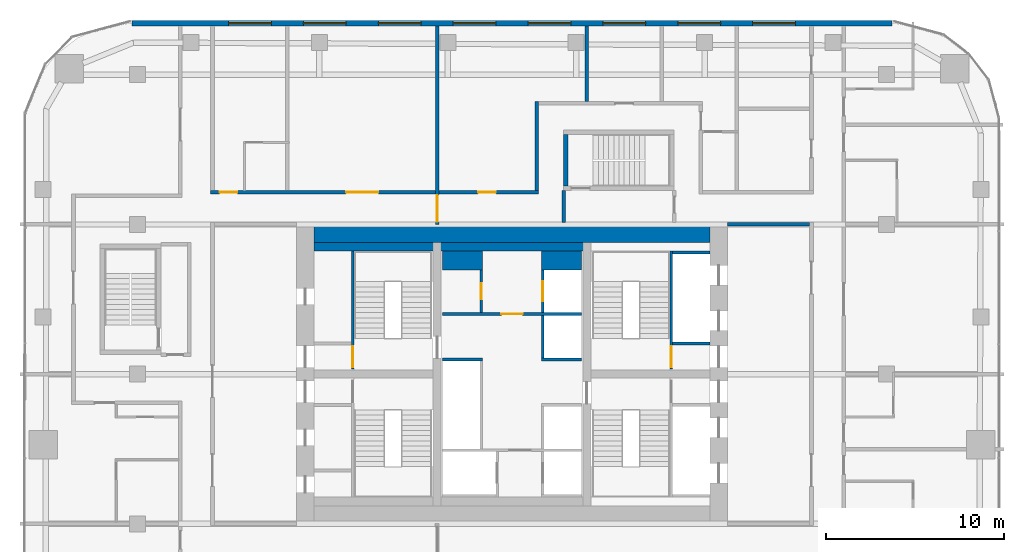
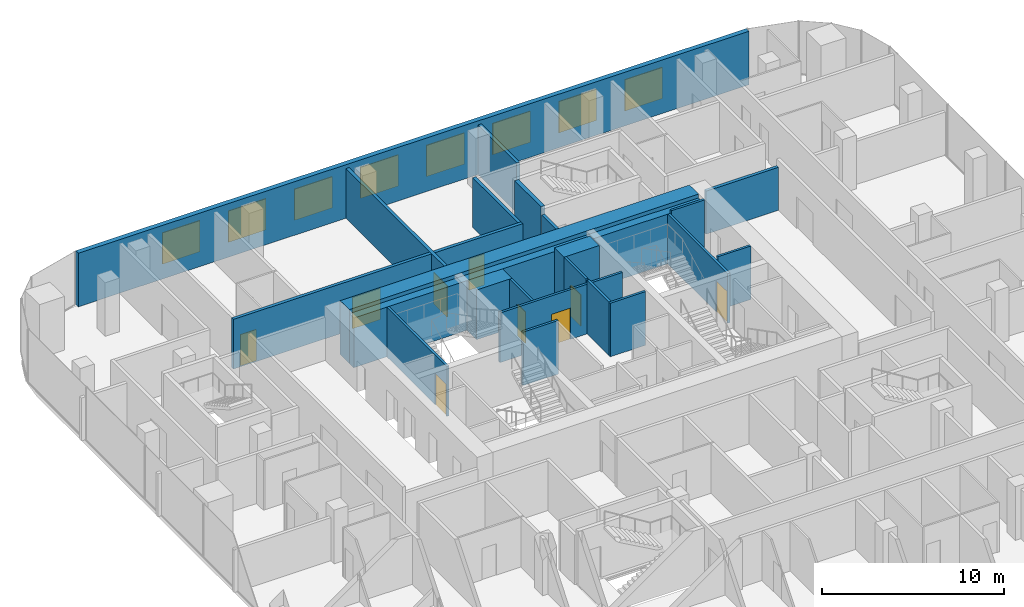
# One storey, part 19 of 23: 22 walls, 9 doors, 8 windows, 17 openings.
"""IFC4 building model written with IfcOpenShell, lengths in metres."""

from ifc_helpers import new_model, si_unit, direction, frame, frame_2d, origin, place, context, subcontext, project, spatial, rectangle, extrude, material, layer, layer_set, type_object, element, fill, save


model = new_model("IFC4")

# Units and contexts
model_context = context("Model", 3, precision=1e-05, world=origin(), true_north=direction((0.0, 1.0)))
body_context = subcontext(model_context, "Body", "Model", "MODEL_VIEW")
ifc_project = project(units=[si_unit("LENGTHUNIT", "METRE"), si_unit("AREAUNIT", "SQUARE_METRE"), si_unit("VOLUMEUNIT", "CUBIC_METRE"), si_unit("PLANEANGLEUNIT", "RADIAN"), si_unit("MASSUNIT", "GRAM", prefix="KILO")], contexts=[model_context])

# Site, building, storey
site_placement = place(None, origin())
site = spatial("IfcSite", under=ifc_project, at=site_placement, CompositionType="ELEMENT")
building_placement = place(site_placement, origin())
building = spatial("IfcBuilding", under=site, at=building_placement, Name="Marenta Gate Hotel Tower", CompositionType="ELEMENT")
storey_placement = place(building_placement, frame((0.0, 0.0, 155.300048828125)))
storey = spatial("IfcBuildingStorey", under=building, at=storey_placement, Name="L36", CompositionType="ELEMENT", Elevation=155.300048828125)

# Wall, openings, windows
ifc_material_1 = material(Name="Concrete C40 board-marked", Category="concrete")
ifc_layer_1 = layer(ifc_material_1, 0.300048828125)
ifc_layer_set_1 = layer_set([ifc_layer_1], Name="Concrete C40 board-marked")
wall_type_1 = type_object("IfcWallType", Name="Board-marked concrete wall 300 mm", PredefinedType="NOTDEFINED", material=ifc_layer_set_1)
wall_1_placement = place(storey_placement, frame((21.305908203125, 28.090087890625, 0.0), z_axis=(0.0, 0.0, 1.0), x_axis=(-1.0, 0.0, 0.0)))
wall_1 = element("IfcWall", 1, at=wall_1_placement, inside=storey, type_object=wall_type_1, Name="L36-CLD-N00", PredefinedType="NOTDEFINED", context=body_context, shape_type="SweptSolid", body=[
    extrude(rectangle(XDim=42.61181640625, YDim=0.300048828125, at=frame_2d((21.305908203125, 0.0))), origin(), (0.0, 0.0, 1.0), 3.599853515625),
])
opening_1_placement = place(wall_1_placement, frame((5.406005859375, 0.0, 0.89990234375)))
opening_1 = element("IfcOpeningElement", 2, at=opening_1_placement, cuts=wall_1, Name="Opening W1", PredefinedType="OPENING", context=body_context, shape_type="SweptSolid", body=[
    extrude(rectangle(XDim=2.39990234375, YDim=2.10009765625, at=frame_2d((1.199951171875, 1.050048828125))), frame((0.0, 0.14990234375, 0.0), z_axis=(0.0, -1.0, 0.0), x_axis=(1.0, 0.0, 0.0)), (0.0, 0.0, 1.0), 0.300048828125),
])
opening_2_placement = place(wall_1_placement, frame((9.60595703125, 0.0, 0.89990234375)))
opening_2 = element("IfcOpeningElement", 3, at=opening_2_placement, cuts=wall_1, Name="Opening W1", PredefinedType="OPENING", context=body_context, shape_type="SweptSolid", body=[
    extrude(rectangle(XDim=2.39990234375, YDim=2.10009765625, at=frame_2d((1.199951171875, 1.050048828125))), frame((0.0, 0.14990234375, 0.0), z_axis=(0.0, -1.0, 0.0), x_axis=(1.0, 0.0, 0.0)), (0.0, 0.0, 1.0), 0.300048828125),
])
opening_3_placement = place(wall_1_placement, frame((13.805908203125, 0.0, 0.89990234375)))
opening_3 = element("IfcOpeningElement", 4, at=opening_3_placement, cuts=wall_1, Name="Opening W1", PredefinedType="OPENING", context=body_context, shape_type="SweptSolid", body=[
    extrude(rectangle(XDim=2.39990234375, YDim=2.10009765625, at=frame_2d((1.199951171875, 1.050048828125))), frame((0.0, 0.14990234375, 0.0), z_axis=(0.0, -1.0, 0.0), x_axis=(1.0, 0.0, 0.0)), (0.0, 0.0, 1.0), 0.300048828125),
])
opening_4_placement = place(wall_1_placement, frame((18.005859375, 0.0, 0.89990234375)))
opening_4 = element("IfcOpeningElement", 5, at=opening_4_placement, cuts=wall_1, Name="Opening W1", PredefinedType="OPENING", context=body_context, shape_type="SweptSolid", body=[
    extrude(rectangle(XDim=2.39990234375, YDim=2.10009765625, at=frame_2d((1.199951171875, 1.050048828125))), frame((0.0, 0.14990234375, 0.0), z_axis=(0.0, -1.0, 0.0), x_axis=(1.0, 0.0, 0.0)), (0.0, 0.0, 1.0), 0.300048828125),
])
opening_5_placement = place(wall_1_placement, frame((22.205810546875, 0.0, 0.89990234375)))
opening_5 = element("IfcOpeningElement", 6, at=opening_5_placement, cuts=wall_1, Name="Opening W1", PredefinedType="OPENING", context=body_context, shape_type="SweptSolid", body=[
    extrude(rectangle(XDim=2.39990234375, YDim=2.10009765625, at=frame_2d((1.199951171875, 1.050048828125))), frame((0.0, 0.14990234375, 0.0), z_axis=(0.0, -1.0, 0.0), x_axis=(1.0, 0.0, 0.0)), (0.0, 0.0, 1.0), 0.300048828125),
])
opening_6_placement = place(wall_1_placement, frame((26.406005859375, 0.0, 0.89990234375)))
opening_6 = element("IfcOpeningElement", 7, at=opening_6_placement, cuts=wall_1, Name="Opening W1", PredefinedType="OPENING", context=body_context, shape_type="SweptSolid", body=[
    extrude(rectangle(XDim=2.39990234375, YDim=2.10009765625, at=frame_2d((1.199951171875, 1.050048828125))), frame((0.0, 0.14990234375, 0.0), z_axis=(0.0, -1.0, 0.0), x_axis=(1.0, 0.0, 0.0)), (0.0, 0.0, 1.0), 0.300048828125),
])
opening_7_placement = place(wall_1_placement, frame((30.60595703125, 0.0, 0.89990234375)))
opening_7 = element("IfcOpeningElement", 8, at=opening_7_placement, cuts=wall_1, Name="Opening W1", PredefinedType="OPENING", context=body_context, shape_type="SweptSolid", body=[
    extrude(rectangle(XDim=2.39990234375, YDim=2.10009765625, at=frame_2d((1.199951171875, 1.050048828125))), frame((0.0, 0.14990234375, 0.0), z_axis=(0.0, -1.0, 0.0), x_axis=(1.0, 0.0, 0.0)), (0.0, 0.0, 1.0), 0.300048828125),
])
opening_8_placement = place(wall_1_placement, frame((34.805908203125, 0.0, 0.89990234375)))
opening_8 = element("IfcOpeningElement", 9, at=opening_8_placement, cuts=wall_1, Name="Opening W1", PredefinedType="OPENING", context=body_context, shape_type="SweptSolid", body=[
    extrude(rectangle(XDim=2.39990234375, YDim=2.10009765625, at=frame_2d((1.199951171875, 1.050048828125))), frame((0.0, 0.14990234375, 0.0), z_axis=(0.0, -1.0, 0.0), x_axis=(1.0, 0.0, 0.0)), (0.0, 0.0, 1.0), 0.300048828125),
])
ifc_material_2 = material(Name="Tinted insulated glass in bronze anodised frame", Category="glass")
window_type = type_object("IfcWindowType", Name="Window W1 2400x2100 bronze frame", PartitioningType="SINGLE_PANEL", PredefinedType="WINDOW", material=ifc_material_2)
window_1_placement = place(opening_1_placement, origin())
window_1 = element("IfcWindow", 10, at=window_1_placement, inside=storey, type_object=window_type, Name="Window W1", OverallHeight=2.10009765625, OverallWidth=2.39990234375, PartitioningType="SINGLE_PANEL", PredefinedType="WINDOW", context=body_context, shape_type="SweptSolid", body=[
    extrude(rectangle(XDim=2.39990234375, YDim=2.10009765625, at=frame_2d((1.199951171875, 1.050048828125))), frame((0.0, 0.030029296875, 0.0), z_axis=(0.0, -1.0, 0.0), x_axis=(1.0, 0.0, 0.0)), (0.0, 0.0, 1.0), 0.06005859375),
])
fill(opening_1, window_1)
window_2_placement = place(opening_2_placement, origin())
window_2 = element("IfcWindow", 11, at=window_2_placement, inside=storey, type_object=window_type, Name="Window W1", OverallHeight=2.10009765625, OverallWidth=2.39990234375, PartitioningType="SINGLE_PANEL", PredefinedType="WINDOW", context=body_context, shape_type="SweptSolid", body=[
    extrude(rectangle(XDim=2.39990234375, YDim=2.10009765625, at=frame_2d((1.199951171875, 1.050048828125))), frame((0.0, 0.030029296875, 0.0), z_axis=(0.0, -1.0, 0.0), x_axis=(1.0, 0.0, 0.0)), (0.0, 0.0, 1.0), 0.06005859375),
])
fill(opening_2, window_2)
window_3_placement = place(opening_3_placement, origin())
window_3 = element("IfcWindow", 12, at=window_3_placement, inside=storey, type_object=window_type, Name="Window W1", OverallHeight=2.10009765625, OverallWidth=2.39990234375, PartitioningType="SINGLE_PANEL", PredefinedType="WINDOW", context=body_context, shape_type="SweptSolid", body=[
    extrude(rectangle(XDim=2.39990234375, YDim=2.10009765625, at=frame_2d((1.199951171875, 1.050048828125))), frame((0.0, 0.030029296875, 0.0), z_axis=(0.0, -1.0, 0.0), x_axis=(1.0, 0.0, 0.0)), (0.0, 0.0, 1.0), 0.06005859375),
])
fill(opening_3, window_3)
window_4_placement = place(opening_4_placement, origin())
window_4 = element("IfcWindow", 13, at=window_4_placement, inside=storey, type_object=window_type, Name="Window W1", OverallHeight=2.10009765625, OverallWidth=2.39990234375, PartitioningType="SINGLE_PANEL", PredefinedType="WINDOW", context=body_context, shape_type="SweptSolid", body=[
    extrude(rectangle(XDim=2.39990234375, YDim=2.10009765625, at=frame_2d((1.199951171875, 1.050048828125))), frame((0.0, 0.030029296875, 0.0), z_axis=(0.0, -1.0, 0.0), x_axis=(1.0, 0.0, 0.0)), (0.0, 0.0, 1.0), 0.06005859375),
])
fill(opening_4, window_4)
window_5_placement = place(opening_5_placement, origin())
window_5 = element("IfcWindow", 14, at=window_5_placement, inside=storey, type_object=window_type, Name="Window W1", OverallHeight=2.10009765625, OverallWidth=2.39990234375, PartitioningType="SINGLE_PANEL", PredefinedType="WINDOW", context=body_context, shape_type="SweptSolid", body=[
    extrude(rectangle(XDim=2.39990234375, YDim=2.10009765625, at=frame_2d((1.199951171875, 1.050048828125))), frame((0.0, 0.030029296875, 0.0), z_axis=(0.0, -1.0, 0.0), x_axis=(1.0, 0.0, 0.0)), (0.0, 0.0, 1.0), 0.06005859375),
])
fill(opening_5, window_5)
window_6_placement = place(opening_6_placement, origin())
window_6 = element("IfcWindow", 15, at=window_6_placement, inside=storey, type_object=window_type, Name="Window W1", OverallHeight=2.10009765625, OverallWidth=2.39990234375, PartitioningType="SINGLE_PANEL", PredefinedType="WINDOW", context=body_context, shape_type="SweptSolid", body=[
    extrude(rectangle(XDim=2.39990234375, YDim=2.10009765625, at=frame_2d((1.199951171875, 1.050048828125))), frame((0.0, 0.030029296875, 0.0), z_axis=(0.0, -1.0, 0.0), x_axis=(1.0, 0.0, 0.0)), (0.0, 0.0, 1.0), 0.06005859375),
])
fill(opening_6, window_6)
window_7_placement = place(opening_7_placement, origin())
window_7 = element("IfcWindow", 16, at=window_7_placement, inside=storey, type_object=window_type, Name="Window W1", OverallHeight=2.10009765625, OverallWidth=2.39990234375, PartitioningType="SINGLE_PANEL", PredefinedType="WINDOW", context=body_context, shape_type="SweptSolid", body=[
    extrude(rectangle(XDim=2.39990234375, YDim=2.10009765625, at=frame_2d((1.199951171875, 1.050048828125))), frame((0.0, 0.030029296875, 0.0), z_axis=(0.0, -1.0, 0.0), x_axis=(1.0, 0.0, 0.0)), (0.0, 0.0, 1.0), 0.06005859375),
])
fill(opening_7, window_7)
window_8_placement = place(opening_8_placement, origin())
window_8 = element("IfcWindow", 17, at=window_8_placement, inside=storey, type_object=window_type, Name="Window W1", OverallHeight=2.10009765625, OverallWidth=2.39990234375, PartitioningType="SINGLE_PANEL", PredefinedType="WINDOW", context=body_context, shape_type="SweptSolid", body=[
    extrude(rectangle(XDim=2.39990234375, YDim=2.10009765625, at=frame_2d((1.199951171875, 1.050048828125))), frame((0.0, 0.030029296875, 0.0), z_axis=(0.0, -1.0, 0.0), x_axis=(1.0, 0.0, 0.0)), (0.0, 0.0, 1.0), 0.06005859375),
])
fill(opening_8, window_8)

# Wall, opening, door
ifc_material_3 = material(Name="Concrete blockwork", Category="masonry")
ifc_layer_2 = layer(ifc_material_3, 0.199951171875)
ifc_layer_set_2 = layer_set([ifc_layer_2], Name="Concrete blockwork")
wall_type_2 = type_object("IfcWallType", Name="Compartment wall 200 REI 180", PredefinedType="PARTITIONING", material=ifc_layer_set_2)
wall_2_placement = place(storey_placement, frame((-4.199951171875, 16.800048828125, 0.0), z_axis=(0.0, 0.0, 1.0), x_axis=(0.0, 1.0, 0.0)))
wall_2 = element("IfcWall", 18, at=wall_2_placement, inside=storey, type_object=wall_type_2, Name="L36-PTN-W074", PredefinedType="PARTITIONING", context=body_context, shape_type="SweptSolid", body=[
    extrude(rectangle(XDim=11.139892578125, YDim=0.199951171875, at=frame_2d((5.56982421875, 0.0))), origin(), (0.0, 0.0, 1.0), 3.33984375),
])
opening_9_placement = place(wall_2_placement, frame((0.14990234375, 0.0, 0.0)))
opening_9 = element("IfcOpeningElement", 19, at=opening_9_placement, cuts=wall_2, Name="Opening G13-FD1", PredefinedType="OPENING", context=body_context, shape_type="SweptSolid", body=[
    extrude(rectangle(XDim=1.5, YDim=2.10009765625, at=frame_2d((0.75, 1.050048828125))), frame((0.0, 0.10009765625, 0.0), z_axis=(0.0, -1.0, 0.0), x_axis=(1.0, 0.0, 0.0)), (0.0, 0.0, 1.0), 0.199951171875),
])
ifc_material_4 = material(Name="Hollow steel door set", Category="steel")
door_type_1 = type_object("IfcDoorType", Name="Compartment fire door 1500x2100 EI 60", OperationType="DOUBLE_DOOR_DOUBLE_SWING", PredefinedType="DOOR", material=ifc_material_4)
door_1_placement = place(opening_9_placement, origin())
door_1 = element("IfcDoor", 20, at=door_1_placement, inside=storey, type_object=door_type_1, Name="L36-PD-FD01", OperationType="DOUBLE_DOOR_DOUBLE_SWING", OverallHeight=2.10009765625, OverallWidth=1.5, PredefinedType="DOOR", context=body_context, shape_type="SweptSolid", body=[
    extrude(rectangle(XDim=1.5, YDim=2.10009765625, at=frame_2d((0.75, 1.050048828125))), frame((0.0, 0.02490234375, 0.0), z_axis=(0.0, -1.0, 0.0), x_axis=(1.0, 0.0, 0.0)), (0.0, 0.0, 1.0), 0.050048828125),
])
fill(opening_9, door_1)

# Walls
ifc_material_5 = material(Name="Concrete blockwork", Category="masonry")
ifc_layer_3 = layer(ifc_material_5, 0.199951171875)
ifc_layer_set_3 = layer_set([ifc_layer_3], Name="Concrete blockwork")
wall_type_3 = type_object("IfcWallType", Name="Core boundary wall 200 REI 180", PredefinedType="PARTITIONING", material=ifc_layer_set_3)
wall_3_placement = place(storey_placement, frame((12.10009765625, 16.800048828125, 0.0), z_axis=(0.0, 0.0, 1.0), x_axis=(1.0, 0.0, 0.0)))
element("IfcWall", 21, at=wall_3_placement, inside=storey, type_object=wall_type_3, Name="L36-CP-EW-EN", PredefinedType="PARTITIONING", context=body_context, shape_type="SweptSolid", body=[
    extrude(rectangle(XDim=4.599853515625, YDim=0.199951171875, at=frame_2d((2.2998046875, 0.0))), origin(), (0.0, 0.0, 1.0), 2.889892578125),
])
ifc_material_6 = material(Name="Concrete C40", Category="concrete")
ifc_layer_4 = layer(ifc_material_6, 0.5)
ifc_layer_set_4 = layer_set([ifc_layer_4], Name="Concrete C40")
wall_type_4 = type_object("IfcWallType", Name="Core lining wall 500 REI 180", PredefinedType="PARTITIONING", material=ifc_layer_set_4)
wall_4_placement = place(storey_placement, frame((-11.10009765625, 15.550048828125, 0.0), z_axis=(0.0, 0.0, 1.0), x_axis=(1.0, 0.0, 0.0)))
element("IfcWall", 22, at=wall_4_placement, inside=storey, type_object=wall_type_4, Name="L36-CP-LN-N", PredefinedType="PARTITIONING", context=body_context, shape_type="SweptSolid", body=[
    extrude(rectangle(XDim=22.2001953125, YDim=0.5, at=frame_2d((11.10009765625, 0.0))), origin(), (0.0, 0.0, 1.0), 3.33984375),
])

# Wall, opening, door
ifc_material_7 = material(Name="Concrete blockwork", Category="masonry")
ifc_layer_5 = layer(ifc_material_7, 0.14990234375)
ifc_layer_set_5 = layer_set([ifc_layer_5], Name="Concrete blockwork")
wall_type_5 = type_object("IfcWallType", Name="Core lobby partition 150 REI 180", PredefinedType="PARTITIONING", material=ifc_layer_set_5)
wall_5_placement = place(storey_placement, frame((-3.89990234375, 11.77490234375, 0.0), z_axis=(0.0, 0.0, 1.0), x_axis=(1.0, 0.0, 0.0)))
wall_5 = element("IfcWall", 23, at=wall_5_placement, inside=storey, type_object=wall_type_5, Name="L36-CP-CW-N", PredefinedType="PARTITIONING", context=body_context, shape_type="SweptSolid", body=[
    extrude(rectangle(XDim=7.7998046875, YDim=0.14990234375, at=frame_2d((3.89990234375, 0.0))), origin(), (0.0, 0.0, 1.0), 3.33984375),
])
opening_10_placement = place(wall_5_placement, frame((3.300048828125, 0.0, 0.0)))
opening_10 = element("IfcOpeningElement", 24, at=opening_10_placement, cuts=wall_5, Name="Opening FD-FFN", PredefinedType="OPENING", context=body_context, shape_type="SweptSolid", body=[
    extrude(rectangle(XDim=1.199951171875, YDim=2.10009765625, at=frame_2d((0.60009765625, 1.050048828125))), frame((0.0, 0.074951171875, 0.0), z_axis=(0.0, -1.0, 0.0), x_axis=(1.0, 0.0, 0.0)), (0.0, 0.0, 1.0), 0.14990234375),
])
ifc_material_8 = material(Name="Steel", Category="steel")
door_type_2 = type_object("IfcDoorType", Name="Core lobby door 1200x2100 FD60", OperationType="SINGLE_SWING_LEFT", PredefinedType="DOOR", material=ifc_material_8)
door_2_placement = place(opening_10_placement, origin())
door_2 = element("IfcDoor", 25, at=door_2_placement, inside=storey, type_object=door_type_2, Name="FD-FFN", OperationType="SINGLE_SWING_LEFT", OverallHeight=2.10009765625, OverallWidth=1.199951171875, PredefinedType="DOOR", context=body_context, shape_type="SweptSolid", body=[
    extrude(rectangle(XDim=1.199951171875, YDim=2.10009765625, at=frame_2d((0.60009765625, 1.050048828125))), frame((0.0, 0.02490234375, 0.0), z_axis=(0.0, -1.0, 0.0), x_axis=(1.0, 0.0, 0.0)), (0.0, 0.0, 1.0), 0.050048828125),
])
fill(opening_10, door_2)

# Wall
ifc_material_9 = material(Name="Concrete blockwork", Category="masonry")
ifc_layer_6 = layer(ifc_material_9, 1.050048828125)
ifc_layer_set_6 = layer_set([ifc_layer_6], Name="Concrete blockwork")
wall_type_6 = type_object("IfcWallType", Name="Core room partition 1050 REI 180", PredefinedType="PARTITIONING", material=ifc_layer_set_6)
wall_6_placement = place(storey_placement, frame((-3.89990234375, 14.77490234375, 0.0), z_axis=(0.0, 0.0, 1.0), x_axis=(1.0, 0.0, 0.0)))
element("IfcWall", 26, at=wall_6_placement, inside=storey, type_object=wall_type_6, Name="L36-CP-CW-W-riser-N", PredefinedType="PARTITIONING", context=body_context, shape_type="SweptSolid", body=[
    extrude(rectangle(XDim=2.25, YDim=1.050048828125, at=frame_2d((1.125, 0.0))), origin(), (0.0, 0.0, 1.0), 3.33984375),
])

# Wall, opening, door
ifc_material_10 = material(Name="Concrete blockwork", Category="masonry")
ifc_layer_7 = layer(ifc_material_10, 0.14990234375)
ifc_layer_set_7 = layer_set([ifc_layer_7], Name="Concrete blockwork")
wall_type_7 = type_object("IfcWallType", Name="Core room partition 150 REI 180", PredefinedType="PARTITIONING", material=ifc_layer_set_7)
wall_7_placement = place(storey_placement, frame((-1.72509765625, 11.85009765625, 0.0), z_axis=(0.0, 0.0, 1.0), x_axis=(0.0, 1.0, 0.0)))
wall_7 = element("IfcWall", 27, at=wall_7_placement, inside=storey, type_object=wall_type_7, Name="L36-CP-CW-W-riser-front", PredefinedType="PARTITIONING", context=body_context, shape_type="SweptSolid", body=[
    extrude(rectangle(XDim=2.39990234375, YDim=0.14990234375, at=frame_2d((1.199951171875, 0.0))), origin(), (0.0, 0.0, 1.0), 3.33984375),
])
opening_11_placement = place(wall_7_placement, frame((0.75, 0.0, 0.0)))
opening_11 = element("IfcOpeningElement", 28, at=opening_11_placement, cuts=wall_7, Name="Opening RD-CRISER", PredefinedType="OPENING", context=body_context, shape_type="SweptSolid", body=[
    extrude(rectangle(XDim=0.89990234375, YDim=2.10009765625, at=frame_2d((0.449951171875, 1.050048828125))), frame((0.0, 0.074951171875, 0.0), z_axis=(0.0, -1.0, 0.0), x_axis=(1.0, 0.0, 0.0)), (0.0, 0.0, 1.0), 0.14990234375),
])
ifc_material_11 = material(Name="Steel", Category="steel")
door_type_3 = type_object("IfcDoorType", Name="Core riser door 900x2100 FD60", OperationType="SINGLE_SWING_LEFT", PredefinedType="DOOR", material=ifc_material_11)
door_3_placement = place(opening_11_placement, origin())
door_3 = element("IfcDoor", 29, at=door_3_placement, inside=storey, type_object=door_type_3, Name="RD-CRISER", OperationType="SINGLE_SWING_LEFT", OverallHeight=2.10009765625, OverallWidth=0.89990234375, PredefinedType="DOOR", context=body_context, shape_type="SweptSolid", body=[
    extrude(rectangle(XDim=0.89990234375, YDim=2.10009765625, at=frame_2d((0.449951171875, 1.050048828125))), frame((0.0, 0.02490234375, 0.0), z_axis=(0.0, -1.0, 0.0), x_axis=(1.0, 0.0, 0.0)), (0.0, 0.0, 1.0), 0.050048828125),
])
fill(opening_11, door_3)

# Walls
ifc_material_12 = material(Name="Concrete C40", Category="concrete")
ifc_layer_8 = layer(ifc_material_12, 1.050048828125)
ifc_layer_set_8 = layer_set([ifc_layer_8], Name="Concrete C40")
wall_type_8 = type_object("IfcWallType", Name="Core shaft wall 1050 REI 180", PredefinedType="SHEAR", material=ifc_layer_set_8)
wall_8_placement = place(storey_placement, frame((1.64990234375, 14.77490234375, 0.0), z_axis=(0.0, 0.0, 1.0), x_axis=(1.0, 0.0, 0.0)))
element("IfcWall", 30, at=wall_8_placement, inside=storey, type_object=wall_type_8, Name="L36-SHF-CE-N-top", PredefinedType="SHEAR", context=body_context, shape_type="SweptSolid", body=[
    extrude(rectangle(XDim=2.25, YDim=1.050048828125, at=frame_2d((1.125, 0.0))), origin(), (0.0, 0.0, 1.0), 3.599853515625),
])
ifc_material_13 = material(Name="Concrete C40", Category="concrete")
ifc_layer_9 = layer(ifc_material_13, 0.14990234375)
ifc_layer_set_9 = layer_set([ifc_layer_9], Name="Concrete C40")
wall_type_9 = type_object("IfcWallType", Name="Core shaft wall 150 REI 180", PredefinedType="SHEAR", material=ifc_layer_set_9)
for number, where, z_axis, x_axis, name in (
    (31, (9.0, 10.125, 0.0), (0.0, 0.0, 1.0), (1.0, 0.0, 0.0), "L36-SHF-SW-EN-2"),
    (32, (9.0, 15.22509765625, 0.0), (0.0, 0.0, 1.0), (1.0, 0.0, 0.0), "L36-SHF-SW-EN-5"),
):
    element("IfcWall", number, at=place(storey_placement, frame(where, z_axis=z_axis, x_axis=x_axis)), inside=storey, type_object=wall_type_9, Name=name, PredefinedType="SHEAR", context=body_context, shape_type="SweptSolid", body=[
        extrude(rectangle(XDim=2.10009765625, YDim=0.14990234375, at=frame_2d((1.050048828125, 0.0))), origin(), (0.0, 0.0, 1.0), 3.599853515625),
    ])
wall_9_placement = place(storey_placement, frame((-3.89990234375, 9.22509765625, 0.0), z_axis=(0.0, 0.0, 1.0), x_axis=(1.0, 0.0, 0.0)))
element("IfcWall", 33, at=wall_9_placement, inside=storey, type_object=wall_type_9, Name="L36-SHF-CW-W-sep", PredefinedType="SHEAR", context=body_context, shape_type="SweptSolid", body=[
    extrude(rectangle(XDim=2.25, YDim=0.14990234375, at=frame_2d((1.125, 0.0))), origin(), (0.0, 0.0, 1.0), 3.599853515625),
])

# Wall, opening, door
wall_10_placement = place(storey_placement, frame((1.72509765625, 11.85009765625, 0.0), z_axis=(0.0, 0.0, 1.0), x_axis=(0.0, 1.0, 0.0)))
wall_10 = element("IfcWall", 34, at=wall_10_placement, inside=storey, type_object=wall_type_9, Name="L36-SHF-CE-N-front2", PredefinedType="SHEAR", context=body_context, shape_type="SweptSolid", body=[
    extrude(rectangle(XDim=2.39990234375, YDim=0.14990234375, at=frame_2d((1.199951171875, 0.0))), origin(), (0.0, 0.0, 1.0), 3.599853515625),
])
opening_12_placement = place(wall_10_placement, frame((0.64990234375, 0.0, 0.0)))
opening_12 = element("IfcOpeningElement", 35, at=opening_12_placement, cuts=wall_10, Name="Opening LD-FF2", PredefinedType="OPENING", context=body_context, shape_type="SweptSolid", body=[
    extrude(rectangle(XDim=1.10009765625, YDim=2.10009765625, at=frame_2d((0.550048828125, 1.050048828125))), frame((0.0, 0.074951171875, 0.0), z_axis=(0.0, -1.0, 0.0), x_axis=(1.0, 0.0, 0.0)), (0.0, 0.0, 1.0), 0.14990234375),
])
ifc_material_14 = material(Name="Steel", Category="steel")
door_type_4 = type_object("IfcDoorType", Name="Core lift landing door 1100x2100 E 60", OperationType="SLIDING_TO_LEFT", PredefinedType="DOOR", material=ifc_material_14)
door_4_placement = place(opening_12_placement, origin())
door_4 = element("IfcDoor", 36, at=door_4_placement, inside=storey, type_object=door_type_4, Name="LD-FF2", OperationType="SLIDING_TO_LEFT", OverallHeight=2.10009765625, OverallWidth=1.10009765625, PredefinedType="DOOR", context=body_context, shape_type="SweptSolid", body=[
    extrude(rectangle(XDim=1.10009765625, YDim=2.10009765625, at=frame_2d((0.550048828125, 1.050048828125))), frame((0.0, 0.02490234375, 0.0), z_axis=(0.0, -1.0, 0.0), x_axis=(1.0, 0.0, 0.0)), (0.0, 0.0, 1.0), 0.050048828125),
])
fill(opening_12, door_4)

# Walls
wall_11_placement = place(storey_placement, frame((1.64990234375, 9.22509765625, 0.0), z_axis=(0.0, 0.0, 1.0), x_axis=(1.0, 0.0, 0.0)))
element("IfcWall", 37, at=wall_11_placement, inside=storey, type_object=wall_type_9, Name="L36-SHF-CE-sep2", PredefinedType="SHEAR", context=body_context, shape_type="SweptSolid", body=[
    extrude(rectangle(XDim=2.25, YDim=0.14990234375, at=frame_2d((1.125, 0.0))), origin(), (0.0, 0.0, 1.0), 3.599853515625),
])
wall_12_placement = place(storey_placement, frame((1.72509765625, 9.300048828125, 0.0), z_axis=(0.0, 0.0, 1.0), x_axis=(0.0, 1.0, 0.0)))
element("IfcWall", 38, at=wall_12_placement, inside=storey, type_object=wall_type_9, Name="L36-SHF-CE-front-2", PredefinedType="SHEAR", context=body_context, shape_type="SweptSolid", body=[
    extrude(rectangle(XDim=2.39990234375, YDim=0.14990234375, at=frame_2d((1.199951171875, 0.0))), origin(), (0.0, 0.0, 1.0), 3.599853515625),
])

# Wall, opening, door
ifc_material_15 = material(Name="Concrete C40", Category="concrete")
ifc_layer_10 = layer(ifc_material_15, 0.14990234375)
ifc_layer_set_10 = layer_set([ifc_layer_10], Name="Concrete C40")
wall_type_10 = type_object("IfcWallType", Name="Core stair enclosure wall 150 REI 180", PredefinedType="SHEAR", material=ifc_layer_set_10)
wall_13_placement = place(storey_placement, frame((-8.925048828125, 8.699951171875, 0.0), z_axis=(0.0, 0.0, 1.0), x_axis=(0.0, 1.0, 0.0)))
wall_13 = element("IfcWall", 39, at=wall_13_placement, inside=storey, type_object=wall_type_10, Name="L36-SHF-SW-WN-3", PredefinedType="SHEAR", context=body_context, shape_type="SweptSolid", body=[
    extrude(rectangle(XDim=6.60009765625, YDim=0.14990234375, at=frame_2d((3.300048828125, 0.0))), origin(), (0.0, 0.0, 1.0), 3.33984375),
])
opening_13_placement = place(wall_13_placement, frame((0.074951171875, 0.0, 0.0)))
opening_13 = element("IfcOpeningElement", 40, at=opening_13_placement, cuts=wall_13, Name="Opening SD-WN", PredefinedType="OPENING", context=body_context, shape_type="SweptSolid", body=[
    extrude(rectangle(XDim=1.199951171875, YDim=2.10009765625, at=frame_2d((0.60009765625, 1.050048828125))), frame((0.0, 0.074951171875, 0.0), z_axis=(0.0, -1.0, 0.0), x_axis=(1.0, 0.0, 0.0)), (0.0, 0.0, 1.0), 0.14990234375),
])
ifc_material_16 = material(Name="Steel", Category="steel")
door_type_5 = type_object("IfcDoorType", Name="Core stair door 1200x2100 FD60", OperationType="SINGLE_SWING_LEFT", PredefinedType="DOOR", material=ifc_material_16)
door_5_placement = place(opening_13_placement, origin())
door_5 = element("IfcDoor", 41, at=door_5_placement, inside=storey, type_object=door_type_5, Name="SD-WN", OperationType="SINGLE_SWING_LEFT", OverallHeight=2.10009765625, OverallWidth=1.199951171875, PredefinedType="DOOR", context=body_context, shape_type="SweptSolid", body=[
    extrude(rectangle(XDim=1.199951171875, YDim=2.10009765625, at=frame_2d((0.60009765625, 1.050048828125))), frame((0.0, 0.02490234375, 0.0), z_axis=(0.0, -1.0, 0.0), x_axis=(1.0, 0.0, 0.0)), (0.0, 0.0, 1.0), 0.050048828125),
])
fill(opening_13, door_5)

wall_14_placement = place(storey_placement, frame((8.925048828125, 8.699951171875, 0.0), z_axis=(0.0, 0.0, 1.0), x_axis=(0.0, 1.0, 0.0)))
wall_14 = element("IfcWall", 42, at=wall_14_placement, inside=storey, type_object=wall_type_10, Name="L36-SHF-SW-EN-3", PredefinedType="SHEAR", context=body_context, shape_type="SweptSolid", body=[
    extrude(rectangle(XDim=6.60009765625, YDim=0.14990234375, at=frame_2d((3.300048828125, 0.0))), origin(), (0.0, 0.0, 1.0), 3.33984375),
])
opening_14_placement = place(wall_14_placement, frame((0.074951171875, 0.0, 0.0)))
opening_14 = element("IfcOpeningElement", 43, at=opening_14_placement, cuts=wall_14, Name="Opening SD-EN", PredefinedType="OPENING", context=body_context, shape_type="SweptSolid", body=[
    extrude(rectangle(XDim=1.199951171875, YDim=2.10009765625, at=frame_2d((0.60009765625, 1.050048828125))), frame((0.0, 0.074951171875, 0.0), z_axis=(0.0, -1.0, 0.0), x_axis=(1.0, 0.0, 0.0)), (0.0, 0.0, 1.0), 0.14990234375),
])
door_6_placement = place(opening_14_placement, origin())
door_6 = element("IfcDoor", 44, at=door_6_placement, inside=storey, type_object=door_type_5, Name="SD-EN", OperationType="SINGLE_SWING_LEFT", OverallHeight=2.10009765625, OverallWidth=1.199951171875, PredefinedType="DOOR", context=body_context, shape_type="SweptSolid", body=[
    extrude(rectangle(XDim=1.199951171875, YDim=2.10009765625, at=frame_2d((0.60009765625, 1.050048828125))), frame((0.0, 0.02490234375, 0.0), z_axis=(0.0, -1.0, 0.0), x_axis=(1.0, 0.0, 0.0)), (0.0, 0.0, 1.0), 0.050048828125),
])
fill(opening_14, door_6)

# Walls
ifc_material_17 = material(Name="Concrete C70", Category="concrete")
ifc_layer_11 = layer(ifc_material_17, 1.0)
ifc_layer_set_11 = layer_set([ifc_layer_11], Name="Concrete C70")
wall_type_11 = type_object("IfcWallType", Name="Core wall 1000 C70", PredefinedType="SHEAR", material=ifc_layer_set_11)
wall_15_placement = place(storey_placement, frame((-11.10009765625, 16.300048828125, 0.0), z_axis=(0.0, 0.0, 1.0), x_axis=(1.0, 0.0, 0.0)))
element("IfcWall", 45, at=wall_15_placement, inside=storey, type_object=wall_type_11, Name="L36-CORE-N", PredefinedType="SHEAR", context=body_context, shape_type="SweptSolid", body=[
    extrude(rectangle(XDim=22.2001953125, YDim=1.0, at=frame_2d((11.10009765625, 0.0))), origin(), (0.0, 0.0, 1.0), 3.599853515625),
])
ifc_material_18 = material(Name="Concrete C40", Category="concrete")
ifc_layer_12 = layer(ifc_material_18, 0.25)
ifc_layer_set_12 = layer_set([ifc_layer_12], Name="Concrete C40")
wall_type_12 = type_object("IfcWallType", Name="Remote stair enclosure wall 250 REI 180", PredefinedType="SHEAR", material=ifc_layer_set_12)
wall_16_placement = place(storey_placement, frame((3.02490234375, 18.949951171875, 0.099853515625), z_axis=(0.0, 0.0, 1.0), x_axis=(0.0, 1.0, 0.0)))
element("IfcWall", 46, at=wall_16_placement, inside=storey, type_object=wall_type_12, Name="L36-RS-Z2-4-W3", PredefinedType="SHEAR", context=body_context, shape_type="SweptSolid", body=[
    extrude(rectangle(XDim=2.900146484375, YDim=0.25, at=frame_2d((1.4501953125, 0.0))), origin(), (0.0, 0.0, 1.0), 3.60009765625),
])
ifc_material_19 = material(Name="Gypsum board on steel stud", Category="steel")
ifc_layer_13 = layer(ifc_material_19, 0.199951171875)
ifc_layer_set_13 = layer_set([ifc_layer_13], Name="Gypsum board on steel stud")
wall_type_13 = type_object("IfcWallType", Name="Room corridor wall 200 EI 60", PredefinedType="PARTITIONING", material=ifc_layer_set_13)
wall_17_placement = place(storey_placement, frame((1.39990234375, 18.699951171875, 0.0), z_axis=(0.0, 0.0, 1.0), x_axis=(0.0, 1.0, 0.0)))
element("IfcWall", 47, at=wall_17_placement, inside=storey, type_object=wall_type_13, Name="L36-PTN-W065", PredefinedType="PARTITIONING", context=body_context, shape_type="SweptSolid", body=[
    extrude(rectangle(XDim=5.0, YDim=0.199951171875, at=frame_2d((2.5, 0.0))), origin(), (0.0, 0.0, 1.0), 3.33984375),
])

# Wall, openings, doors
wall_18_placement = place(storey_placement, frame((-16.89990234375, 18.60009765625, 0.0), z_axis=(0.0, 0.0, 1.0), x_axis=(1.0, 0.0, 0.0)))
wall_18 = element("IfcWall", 48, at=wall_18_placement, inside=storey, type_object=wall_type_13, Name="L36-PTN-W103", PredefinedType="PARTITIONING", context=body_context, shape_type="SweptSolid", body=[
    extrude(rectangle(XDim=18.39990234375, YDim=0.199951171875, at=frame_2d((9.199951171875, 0.0))), origin(), (0.0, 0.0, 1.0), 3.33984375),
])
opening_15_placement = place(wall_18_placement, frame((0.5, 0.0, 0.0)))
opening_15 = element("IfcOpeningElement", 49, at=opening_15_placement, cuts=wall_18, Name="Opening G13-23", PredefinedType="OPENING", context=body_context, shape_type="SweptSolid", body=[
    extrude(rectangle(XDim=1.0, YDim=2.10009765625, at=frame_2d((0.5, 1.050048828125))), frame((0.0, 0.10009765625, 0.0), z_axis=(0.0, -1.0, 0.0), x_axis=(1.0, 0.0, 0.0)), (0.0, 0.0, 1.0), 0.199951171875),
])
opening_16_placement = place(wall_18_placement, frame((7.60009765625, 0.0, 0.0)))
opening_16 = element("IfcOpeningElement", 50, at=opening_16_placement, cuts=wall_18, Name="Opening G13-25", PredefinedType="OPENING", context=body_context, shape_type="SweptSolid", body=[
    extrude(rectangle(XDim=1.800048828125, YDim=2.10009765625, at=frame_2d((0.89990234375, 1.050048828125))), frame((0.0, 0.10009765625, 0.0), z_axis=(0.0, -1.0, 0.0), x_axis=(1.0, 0.0, 0.0)), (0.0, 0.0, 1.0), 0.199951171875),
])
opening_17_placement = place(wall_18_placement, frame((15.0, 0.0, 0.0)))
opening_17 = element("IfcOpeningElement", 51, at=opening_17_placement, cuts=wall_18, Name="Opening G13-62", PredefinedType="OPENING", context=body_context, shape_type="SweptSolid", body=[
    extrude(rectangle(XDim=1.0, YDim=2.10009765625, at=frame_2d((0.5, 1.050048828125))), frame((0.0, 0.10009765625, 0.0), z_axis=(0.0, -1.0, 0.0), x_axis=(1.0, 0.0, 0.0)), (0.0, 0.0, 1.0), 0.199951171875),
])
ifc_material_20 = material(Name="Timber door leaf", Category="wood")
door_type_6 = type_object("IfcDoorType", Name="Guest room door 1000x2100 EI 30", OperationType="NOTDEFINED", PredefinedType="DOOR", material=ifc_material_20)
door_7_placement = place(opening_15_placement, origin())
door_7 = element("IfcDoor", 52, at=door_7_placement, inside=storey, type_object=door_type_6, Name="L36-PD-D023", OperationType="SINGLE_SWING_RIGHT", OverallHeight=2.10009765625, OverallWidth=1.0, PredefinedType="DOOR", context=body_context, shape_type="SweptSolid", body=[
    extrude(rectangle(XDim=1.0, YDim=2.10009765625, at=frame_2d((0.5, 1.050048828125))), frame((0.0, 0.02490234375, 0.0), z_axis=(0.0, -1.0, 0.0), x_axis=(1.0, 0.0, 0.0)), (0.0, 0.0, 1.0), 0.050048828125),
])
fill(opening_15, door_7)
ifc_material_21 = material(Name="Timber door leaf", Category="wood")
door_type_7 = type_object("IfcDoorType", Name="Room amenity door 1000x2100 EI 30", OperationType="NOTDEFINED", PredefinedType="DOOR", material=ifc_material_21)
door_8_placement = place(opening_17_placement, origin())
door_8 = element("IfcDoor", 53, at=door_8_placement, inside=storey, type_object=door_type_7, Name="L36-PD-D062", OperationType="SINGLE_SWING_LEFT", OverallHeight=2.10009765625, OverallWidth=1.0, PredefinedType="DOOR", context=body_context, shape_type="SweptSolid", body=[
    extrude(rectangle(XDim=1.0, YDim=2.10009765625, at=frame_2d((0.5, 1.050048828125))), frame((0.0, 0.02490234375, 0.0), z_axis=(0.0, -1.0, 0.0), x_axis=(1.0, 0.0, 0.0)), (0.0, 0.0, 1.0), 0.050048828125),
])
fill(opening_17, door_8)
ifc_material_22 = material(Name="Timber door leaf", Category="wood")
door_type_8 = type_object("IfcDoorType", Name="Room amenity door 1800x2100 EI 30", OperationType="DOUBLE_DOOR_SINGLE_SWING", PredefinedType="DOOR", material=ifc_material_22)
door_9_placement = place(opening_16_placement, origin())
door_9 = element("IfcDoor", 54, at=door_9_placement, inside=storey, type_object=door_type_8, Name="L36-PD-D025", OperationType="DOUBLE_DOOR_SINGLE_SWING", OverallHeight=2.10009765625, OverallWidth=1.800048828125, PredefinedType="DOOR", context=body_context, shape_type="SweptSolid", body=[
    extrude(rectangle(XDim=1.800048828125, YDim=2.10009765625, at=frame_2d((0.89990234375, 1.050048828125))), frame((0.0, 0.02490234375, 0.0), z_axis=(0.0, -1.0, 0.0), x_axis=(1.0, 0.0, 0.0)), (0.0, 0.0, 1.0), 0.050048828125),
])
fill(opening_16, door_9)

# Walls
ifc_material_23 = material(Name="Concrete blockwork", Category="masonry")
ifc_layer_14 = layer(ifc_material_23, 0.199951171875)
ifc_layer_set_14 = layer_set([ifc_layer_14], Name="Concrete blockwork")
wall_type_14 = type_object("IfcWallType", Name="Room corridor wall 200 REI 180", PredefinedType="PARTITIONING", material=ifc_layer_set_14)
wall_19_placement = place(storey_placement, frame((2.89990234375, 16.89990234375, 0.0), z_axis=(0.0, 0.0, 1.0), x_axis=(0.0, 1.0, 0.0)))
element("IfcWall", 55, at=wall_19_placement, inside=storey, type_object=wall_type_14, Name="L36-PTN-W060", PredefinedType="PARTITIONING", context=body_context, shape_type="SweptSolid", body=[
    extrude(rectangle(XDim=1.800048828125, YDim=0.199951171875, at=frame_2d((0.89990234375, 0.0))), origin(), (0.0, 0.0, 1.0), 3.33984375),
])
ifc_material_24 = material(Name="Gypsum board on steel stud", Category="steel")
ifc_layer_15 = layer(ifc_material_24, 0.199951171875)
ifc_layer_set_15 = layer_set([ifc_layer_15], Name="Gypsum board on steel stud")
wall_type_15 = type_object("IfcWallType", Name="Room party wall 200 EI 60", PredefinedType="PARTITIONING", material=ifc_layer_set_15)
wall_20_placement = place(storey_placement, frame((4.199951171875, 23.699951171875, 0.0), z_axis=(0.0, 0.0, 1.0), x_axis=(0.0, 1.0, 0.0)))
element("IfcWall", 56, at=wall_20_placement, inside=storey, type_object=wall_type_15, Name="L36-PTN-W058", PredefinedType="PARTITIONING", context=body_context, shape_type="SweptSolid", body=[
    extrude(rectangle(XDim=4.239990234375, YDim=0.199951171875, at=frame_2d((2.1201171875, 0.0))), origin(), (0.0, 0.0, 1.0), 3.33984375),
])

save(model, "model.ifc")
